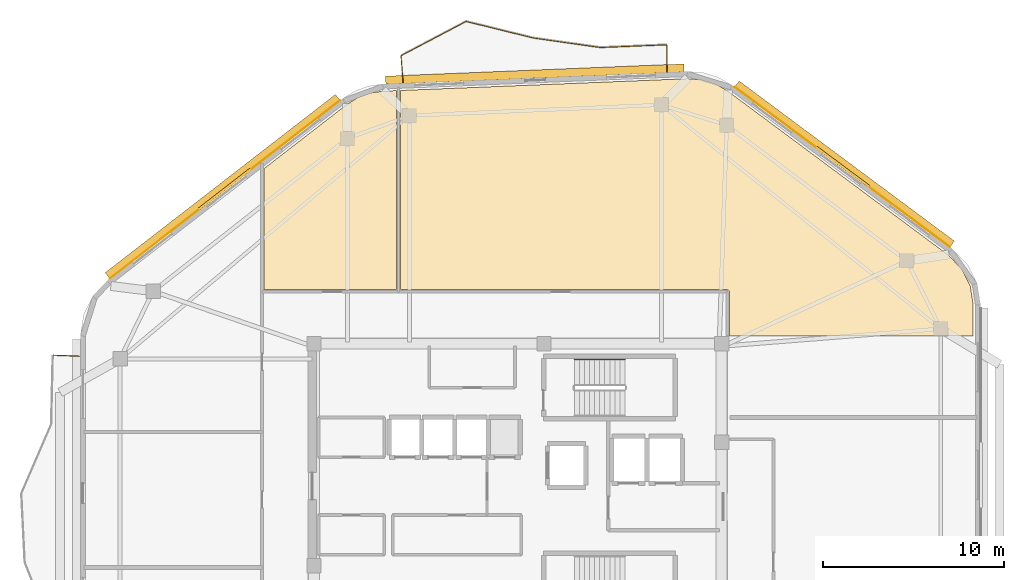
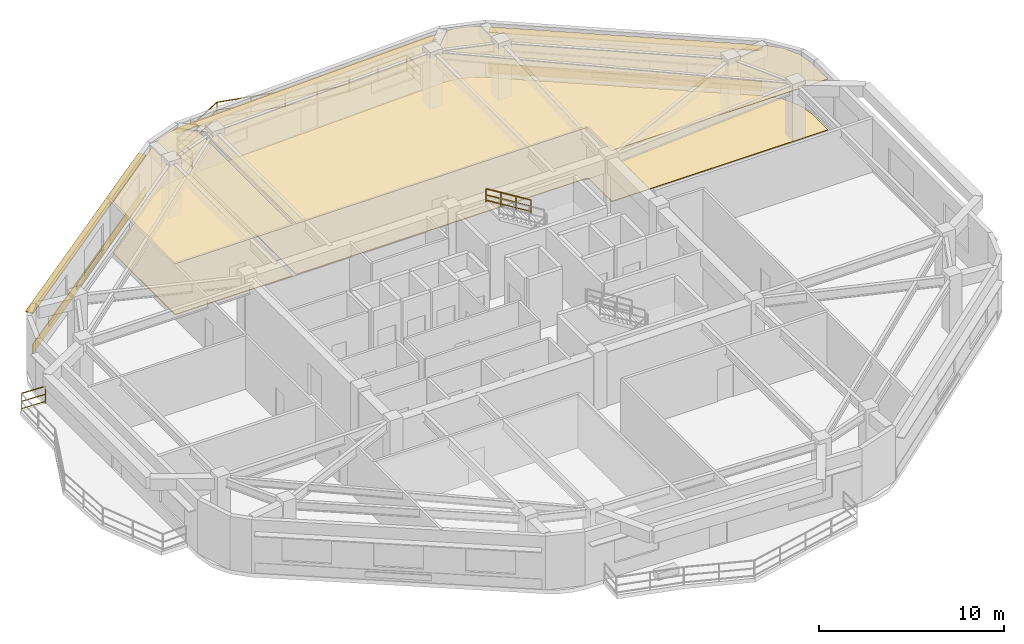
# One storey, part 9 of 10: 8 railings, 6 coverings, 5 shading devices.
"""IFC4 building model written with IfcOpenShell, lengths in metres."""

from ifc_helpers import new_model, si_unit, direction, frame, origin, origin_2d, place, context, subcontext, project, spatial, polyline, rectangle, outline, extrude, material, layer, layer_set, type_object, element, save


model = new_model("IFC4")

# Units and contexts
model_context = context("Model", 3, precision=1e-05, world=origin(), true_north=direction((0.0, 1.0)))
body_context = subcontext(model_context, "Body", "Model", "MODEL_VIEW")
ifc_project = project(units=[si_unit("LENGTHUNIT", "METRE"), si_unit("AREAUNIT", "SQUARE_METRE"), si_unit("VOLUMEUNIT", "CUBIC_METRE"), si_unit("PLANEANGLEUNIT", "RADIAN"), si_unit("MASSUNIT", "GRAM", prefix="KILO")], contexts=[model_context])

# Site, building, storey
site_placement = place(None, origin())
site = spatial("IfcSite", under=ifc_project, at=site_placement, CompositionType="ELEMENT")
building_placement = place(site_placement, origin())
building = spatial("IfcBuilding", under=site, at=building_placement, Name="Zulverin Broadcast Headquarters", CompositionType="ELEMENT")
storey_placement = place(building_placement, frame((0.0, 0.0, 282.0)))
storey = spatial("IfcBuildingStorey", under=building, at=storey_placement, Name="L72", CompositionType="ELEMENT", Elevation=282.0)

# Coverings
ifc_material_1 = material(Name="Perforated pale-metal acoustic baffle ceiling", Category="aluminium")
ifc_layer_1 = layer(ifc_material_1, 0.0400390625, Name="Perforated pale-metal acoustic baffle ceiling", Category="aluminium")
ifc_layer_set_1 = layer_set([ifc_layer_1], Name="Perforated pale-metal acoustic baffle ceiling")
covering_type_1 = type_object("IfcCoveringType", Name="COV-CEIL-ACOU", PredefinedType="CEILING", material=ifc_layer_set_1)
covering_1_placement = place(storey_placement, frame((0.0, 0.0, 3.360107421875)))
element("IfcCovering", 1, at=covering_1_placement, inside=storey, type_object=covering_type_1, Name="L72 Acoustic Baffle Ceiling 01", PredefinedType="CEILING", context=body_context, shape_type="SweptSolid", body=[
    extrude(outline(polyline([(30.280029296875, 36.068115234375), (30.280029296875, 47.083984375), (29.535888671875, 47.052001953125), (28.823974609375, 46.947998046875), (28.16796875, 46.7080078125), (27.555908203125, 46.327880859375), (22.968017578125, 42.77587890625), (22.968017578125, 36.068115234375), (30.280029296875, 36.068115234375)])), origin(), (0.0, 0.0, 1.0), 0.039794921875),
])
covering_2_placement = place(storey_placement, frame((0.0, 0.0, 3.360107421875)))
element("IfcCovering", 2, at=covering_2_placement, inside=storey, type_object=covering_type_1, Name="L72 Acoustic Baffle Ceiling 02", PredefinedType="CEILING", context=body_context, shape_type="SweptSolid", body=[
    extrude(outline(polyline([(48.60791015625, 47.06396484375), (47.927978515625, 47.4599609375), (47.19189453125, 47.68408203125), (46.404052734375, 47.743896484375), (30.52001953125, 47.092041015625), (30.52001953125, 36.072021484375), (48.56005859375, 36.068115234375), (48.575927734375, 36.068115234375), (48.587890625, 36.068115234375), (48.60009765625, 36.06396484375), (48.60791015625, 36.06396484375), (48.6201171875, 36.06005859375), (48.6279296875, 36.055908203125), (48.635986328125, 36.052001953125), (48.64794921875, 36.0439453125), (48.659912109375, 36.035888671875), (48.66796875, 36.028076171875), (48.676025390625, 36.02001953125), (48.68408203125, 36.011962890625), (48.69189453125, 36.0), (48.699951171875, 35.988037109375), (48.7041015625, 35.97998046875), (48.7080078125, 35.971923828125), (48.7119140625, 35.964111328125), (48.716064453125, 35.951904296875), (48.716064453125, 35.944091796875), (48.719970703125, 35.931884765625), (48.719970703125, 35.919921875), (48.719970703125, 33.5), (62.199951171875, 33.5), (62.199951171875, 35.219970703125), (62.031982421875, 36.2880859375), (61.56005859375, 37.22412109375), (60.803955078125, 37.99609375), (51.080078125, 45.22802734375), (48.60791015625, 47.06396484375)])), origin(), (0.0, 0.0, 1.0), 0.039794921875),
])
ifc_material_2 = material(Name="Brushed pale-aluminium rainscreen cladding", Category="aluminium")
ifc_layer_2 = layer(ifc_material_2, 0.0400390625, Name="Brushed pale-aluminium rainscreen cladding", Category="aluminium")
ifc_layer_set_2 = layer_set([ifc_layer_2], Name="Brushed pale-aluminium rainscreen cladding")
covering_type_2 = type_object("IfcCoveringType", Name="COV-CLAD-PALE", PredefinedType="CLADDING", material=ifc_layer_set_2)
covering_3_placement = place(storey_placement, frame((54.955322265625, 42.8564453125, 0.054931640625), z_axis=(0.0, 0.0, 1.0), x_axis=(-0.802486437986, 0.596670358614, 0.0)))
element("IfcCovering", 3, at=covering_3_placement, inside=storey, type_object=covering_type_2, Name="L72 Brushed Pale-Aluminium Spandrel Cladding 4", PredefinedType="CLADDING", context=body_context, shape_type="SweptSolid", body=[
    extrude(rectangle(XDim=14.84765625, YDim=0.0400390625, at=origin_2d()), origin(), (0.0, 0.0, 1.0), 0.64990234375),
])
covering_4_placement = place(storey_placement, frame((20.795654296875, 41.61328125, 0.054931640625), z_axis=(0.0, 0.0, 1.0), x_axis=(-0.790792140634, -0.612084790132, 0.0)))
element("IfcCovering", 4, at=covering_4_placement, inside=storey, type_object=covering_type_2, Name="L72 Brushed Pale-Aluminium Spandrel Cladding 6", PredefinedType="CLADDING", context=body_context, shape_type="SweptSolid", body=[
    extrude(rectangle(XDim=16.109130859375, YDim=0.0400390625, at=origin_2d()), origin(), (0.0, 0.0, 1.0), 0.64990234375),
])
ifc_material_3 = material(Name="Anti-static broadcast raised access flooring", Category="stone")
ifc_layer_3 = layer(ifc_material_3, 0.050048828125, Name="Anti-static broadcast raised access flooring", Category="stone")
ifc_layer_set_3 = layer_set([ifc_layer_3], Name="Anti-static broadcast raised access flooring")
covering_type_3 = type_object("IfcCoveringType", Name="COV-FLR-RAISED", PredefinedType="FLOORING", material=ifc_layer_set_3)
covering_5_placement = place(storey_placement, origin())
element("IfcCovering", 5, at=covering_5_placement, inside=storey, type_object=covering_type_3, Name="L72 Broadcast Raised Access Flooring 01", PredefinedType="FLOORING", context=body_context, shape_type="SweptSolid", body=[
    extrude(outline(polyline([(30.280029296875, 36.068115234375), (30.280029296875, 47.083984375), (29.535888671875, 47.052001953125), (28.823974609375, 46.947998046875), (28.16796875, 46.7080078125), (27.555908203125, 46.327880859375), (22.968017578125, 42.77587890625), (22.968017578125, 36.068115234375), (30.280029296875, 36.068115234375)])), origin(), (0.0, 0.0, 1.0), 0.050048828125),
])
covering_6_placement = place(storey_placement, origin())
element("IfcCovering", 6, at=covering_6_placement, inside=storey, type_object=covering_type_3, Name="L72 Broadcast Raised Access Flooring 02", PredefinedType="FLOORING", context=body_context, shape_type="SweptSolid", body=[
    extrude(outline(polyline([(48.60791015625, 47.06396484375), (47.927978515625, 47.4599609375), (47.19189453125, 47.68408203125), (46.404052734375, 47.743896484375), (30.52001953125, 47.092041015625), (30.52001953125, 36.072021484375), (48.56005859375, 36.068115234375), (48.575927734375, 36.068115234375), (48.587890625, 36.068115234375), (48.60009765625, 36.06396484375), (48.60791015625, 36.06396484375), (48.6201171875, 36.06005859375), (48.6279296875, 36.055908203125), (48.635986328125, 36.052001953125), (48.64794921875, 36.0439453125), (48.659912109375, 36.035888671875), (48.66796875, 36.028076171875), (48.676025390625, 36.02001953125), (48.68408203125, 36.011962890625), (48.69189453125, 36.0), (48.699951171875, 35.988037109375), (48.7041015625, 35.97998046875), (48.7080078125, 35.971923828125), (48.7119140625, 35.964111328125), (48.716064453125, 35.951904296875), (48.716064453125, 35.944091796875), (48.719970703125, 35.931884765625), (48.719970703125, 35.919921875), (48.719970703125, 33.5), (62.199951171875, 33.5), (62.199951171875, 35.219970703125), (62.031982421875, 36.2880859375), (61.56005859375, 37.22412109375), (60.803955078125, 37.99609375), (51.080078125, 45.22802734375), (48.60791015625, 47.06396484375)])), origin(), (0.0, 0.0, 1.0), 0.050048828125),
])

# Railings
ifc_material_4 = material(Name="Brushed stainless steel & laminated glass balustrade", Category="steel")
railing_type_1 = type_object("IfcRailingType", Name="RL-GUARD-1150", PredefinedType="GUARDRAIL", material=ifc_material_4)
railing_1_placement = place(storey_placement, frame((45.247314453125, 48.13720703125, 0.0)))
element("IfcRailing", 7, at=railing_1_placement, inside=storey, type_object=railing_type_1, Name="L72 Vertical-Forest Balcony Guardrail BAL_N Segment 01", PredefinedType="GUARDRAIL", context=body_context, shape_type="SweptSolid", body=[
    extrude(rectangle(XDim=0.048095703125, YDim=0.048095703125, at=origin_2d()), frame((0.0, 0.0, 1.1259765625), z_axis=(-0.000499500437, 0.99999987525, 0.0), x_axis=(-0.99999987525, -0.000499500437, 0.0)), (0.0, 0.0, 1.0), 1.46630859375),
    extrude(rectangle(XDim=0.0419921875, YDim=0.0419921875, at=origin_2d()), frame((0.0, 0.0, 0.597900390625), z_axis=(-0.000499500437, 0.99999987525, 0.0), x_axis=(-0.99999987525, -0.000499500437, 0.0)), (0.0, 0.0, 1.0), 1.46630859375),
    extrude(rectangle(XDim=0.0419921875, YDim=0.0419921875, at=origin_2d()), frame((0.0, 0.0, 0.1201171875), z_axis=(-0.000499500437, 0.99999987525, 0.0), x_axis=(-0.99999987525, -0.000499500437, 0.0)), (0.0, 0.0, 1.0), 1.46630859375),
    extrude(rectangle(XDim=0.0419921875, YDim=0.0419921875, at=origin_2d()), origin(), (0.0, 0.0, 1.0), 1.101806640625),
    extrude(rectangle(XDim=0.0419921875, YDim=0.0419921875, at=origin_2d()), frame((-0.000732421875, 1.46630859375, 0.0)), (0.0, 0.0, 1.0), 1.101806640625),
])
railing_2_placement = place(storey_placement, frame((45.2314453125, 49.617919921875, 0.0)))
element("IfcRailing", 8, at=railing_2_placement, inside=storey, type_object=railing_type_1, Name="L72 Vertical-Forest Balcony Guardrail BAL_N Segment 02", PredefinedType="GUARDRAIL", context=body_context, shape_type="SweptSolid", body=[
    extrude(rectangle(XDim=0.048095703125, YDim=0.048095703125, at=origin_2d()), frame((0.0, 0.0, 1.1259765625), z_axis=(-0.999153810707, -0.041129825541, 0.0), x_axis=(0.041129825541, -0.999153810707, 0.0)), (0.0, 0.0, 1.0), 3.650634765625),
    extrude(rectangle(XDim=0.0419921875, YDim=0.0419921875, at=origin_2d()), frame((0.0, 0.0, 0.597900390625), z_axis=(-0.999153810707, -0.041129825541, 0.0), x_axis=(0.041129825541, -0.999153810707, 0.0)), (0.0, 0.0, 1.0), 3.650634765625),
    extrude(rectangle(XDim=0.0419921875, YDim=0.0419921875, at=origin_2d()), frame((0.0, 0.0, 0.1201171875), z_axis=(-0.999153810707, -0.041129825541, 0.0), x_axis=(0.041129825541, -0.999153810707, 0.0)), (0.0, 0.0, 1.0), 3.650634765625),
    extrude(rectangle(XDim=0.0419921875, YDim=0.0419921875, at=origin_2d()), origin(), (0.0, 0.0, 1.0), 1.101806640625),
    extrude(rectangle(XDim=0.0419921875, YDim=0.0419921875, at=origin_2d()), frame((-1.82373046875, -0.0751953125, 0.0)), (0.0, 0.0, 1.0), 1.101806640625),
    extrude(rectangle(XDim=0.0419921875, YDim=0.0419921875, at=origin_2d()), frame((-3.6474609375, -0.150146484375, 0.0)), (0.0, 0.0, 1.0), 1.101806640625),
])
railing_3_placement = place(storey_placement, frame((41.553955078125, 49.46923828125, 0.0)))
element("IfcRailing", 9, at=railing_3_placement, inside=storey, type_object=railing_type_1, Name="L72 Vertical-Forest Balcony Guardrail BAL_N Segment 03", PredefinedType="GUARDRAIL", context=body_context, shape_type="SweptSolid", body=[
    extrude(rectangle(XDim=0.048095703125, YDim=0.048095703125, at=origin_2d()), frame((0.0, 0.0, 1.1259765625), z_axis=(-0.990067513119, 0.140592743295, 0.0), x_axis=(-0.140592743295, -0.990067513119, 0.0)), (0.0, 0.0, 1.0), 3.712646484375),
    extrude(rectangle(XDim=0.0419921875, YDim=0.0419921875, at=origin_2d()), frame((0.0, 0.0, 0.597900390625), z_axis=(-0.990067513119, 0.140592743295, 0.0), x_axis=(-0.140592743295, -0.990067513119, 0.0)), (0.0, 0.0, 1.0), 3.712646484375),
    extrude(rectangle(XDim=0.0419921875, YDim=0.0419921875, at=origin_2d()), frame((0.0, 0.0, 0.1201171875), z_axis=(-0.990067513119, 0.140592743295, 0.0), x_axis=(-0.140592743295, -0.990067513119, 0.0)), (0.0, 0.0, 1.0), 3.712646484375),
    extrude(rectangle(XDim=0.0419921875, YDim=0.0419921875, at=origin_2d()), origin(), (0.0, 0.0, 1.0), 1.101806640625),
    extrude(rectangle(XDim=0.0419921875, YDim=0.0419921875, at=origin_2d()), frame((-1.837890625, 0.260986328125, 0.0)), (0.0, 0.0, 1.0), 1.101806640625),
    extrude(rectangle(XDim=0.0419921875, YDim=0.0419921875, at=origin_2d()), frame((-3.67578125, 0.52197265625, 0.0)), (0.0, 0.0, 1.0), 1.101806640625),
])
railing_4_placement = place(storey_placement, frame((37.8486328125, 49.9970703125, 0.0)))
element("IfcRailing", 10, at=railing_4_placement, inside=storey, type_object=railing_type_1, Name="L72 Vertical-Forest Balcony Guardrail BAL_N Segment 04", PredefinedType="GUARDRAIL", context=body_context, shape_type="SweptSolid", body=[
    extrude(rectangle(XDim=0.048095703125, YDim=0.048095703125, at=origin_2d()), frame((0.0, 0.0, 1.1259765625), z_axis=(-0.970934129919, 0.239346851573, 0.0), x_axis=(-0.239346851573, -0.970934129919, 0.0)), (0.0, 0.0, 1.0), 3.802734375),
    extrude(rectangle(XDim=0.0419921875, YDim=0.0419921875, at=origin_2d()), frame((0.0, 0.0, 0.597900390625), z_axis=(-0.970934129919, 0.239346851573, 0.0), x_axis=(-0.239346851573, -0.970934129919, 0.0)), (0.0, 0.0, 1.0), 3.802734375),
    extrude(rectangle(XDim=0.0419921875, YDim=0.0419921875, at=origin_2d()), frame((0.0, 0.0, 0.1201171875), z_axis=(-0.970934129919, 0.239346851573, 0.0), x_axis=(-0.239346851573, -0.970934129919, 0.0)), (0.0, 0.0, 1.0), 3.802734375),
    extrude(rectangle(XDim=0.0419921875, YDim=0.0419921875, at=origin_2d()), origin(), (0.0, 0.0, 1.0), 1.101806640625),
    extrude(rectangle(XDim=0.0419921875, YDim=0.0419921875, at=origin_2d()), frame((-1.84619140625, 0.455078125, 0.0)), (0.0, 0.0, 1.0), 1.101806640625),
    extrude(rectangle(XDim=0.0419921875, YDim=0.0419921875, at=origin_2d()), frame((-3.692138671875, 0.91015625, 0.0)), (0.0, 0.0, 1.0), 1.101806640625),
])
railing_5_placement = place(storey_placement, frame((34.12841796875, 50.90380859375, 0.0)))
element("IfcRailing", 11, at=railing_5_placement, inside=storey, type_object=railing_type_1, Name="L72 Vertical-Forest Balcony Guardrail BAL_N Segment 05", PredefinedType="GUARDRAIL", context=body_context, shape_type="SweptSolid", body=[
    extrude(rectangle(XDim=0.048095703125, YDim=0.048095703125, at=origin_2d()), frame((0.0, 0.0, 1.1259765625), z_axis=(-0.885000701985, -0.465589687907, 0.0), x_axis=(0.465589687907, -0.885000701985, 0.0)), (0.0, 0.0, 1.0), 4.04443359375),
    extrude(rectangle(XDim=0.0419921875, YDim=0.0419921875, at=origin_2d()), frame((0.0, 0.0, 0.597900390625), z_axis=(-0.885000701985, -0.465589687907, 0.0), x_axis=(0.465589687907, -0.885000701985, 0.0)), (0.0, 0.0, 1.0), 4.04443359375),
    extrude(rectangle(XDim=0.0419921875, YDim=0.0419921875, at=origin_2d()), frame((0.0, 0.0, 0.1201171875), z_axis=(-0.885000701985, -0.465589687907, 0.0), x_axis=(0.465589687907, -0.885000701985, 0.0)), (0.0, 0.0, 1.0), 4.04443359375),
    extrude(rectangle(XDim=0.0419921875, YDim=0.0419921875, at=origin_2d()), origin(), (0.0, 0.0, 1.0), 1.101806640625),
    extrude(rectangle(XDim=0.0419921875, YDim=0.0419921875, at=origin_2d()), frame((-1.78955078125, -0.94140625, 0.0)), (0.0, 0.0, 1.0), 1.101806640625),
    extrude(rectangle(XDim=0.0419921875, YDim=0.0419921875, at=origin_2d()), frame((-3.579345703125, -1.883056640625, 0.0)), (0.0, 0.0, 1.0), 1.101806640625),
])
railing_6_placement = place(storey_placement, frame((30.537109375, 48.998779296875, 0.0)))
element("IfcRailing", 12, at=railing_6_placement, inside=storey, type_object=railing_type_1, Name="L72 Vertical-Forest Balcony Guardrail BAL_N Segment 06", PredefinedType="GUARDRAIL", context=body_context, shape_type="SweptSolid", body=[
    extrude(rectangle(XDim=0.048095703125, YDim=0.048095703125, at=origin_2d()), frame((0.0, 0.0, 1.1259765625), z_axis=(0.081419392862, -0.9966799298, 0.0), x_axis=(0.9966799298, 0.081419392862, 0.0)), (0.0, 0.0, 1.0), 1.46630859375),
    extrude(rectangle(XDim=0.0419921875, YDim=0.0419921875, at=origin_2d()), frame((0.0, 0.0, 0.597900390625), z_axis=(0.081419392862, -0.9966799298, 0.0), x_axis=(0.9966799298, 0.081419392862, 0.0)), (0.0, 0.0, 1.0), 1.46630859375),
    extrude(rectangle(XDim=0.0419921875, YDim=0.0419921875, at=origin_2d()), frame((0.0, 0.0, 0.1201171875), z_axis=(0.081419392862, -0.9966799298, 0.0), x_axis=(0.9966799298, 0.081419392862, 0.0)), (0.0, 0.0, 1.0), 1.46630859375),
    extrude(rectangle(XDim=0.0419921875, YDim=0.0419921875, at=origin_2d()), origin(), (0.0, 0.0, 1.0), 1.101806640625),
    extrude(rectangle(XDim=0.0419921875, YDim=0.0419921875, at=origin_2d()), frame((0.119384765625, -1.46142578125, 0.0)), (0.0, 0.0, 1.0), 1.101806640625),
])
railing_7_placement = place(storey_placement, frame((12.760009765625, 32.387939453125, 0.0)))
element("IfcRailing", 13, at=railing_7_placement, inside=storey, type_object=railing_type_1, Name="L72 Vertical-Forest Balcony Guardrail BAL_W Segment 01", PredefinedType="GUARDRAIL", context=body_context, shape_type="SweptSolid", body=[
    extrude(rectangle(XDim=0.048095703125, YDim=0.048095703125, at=origin_2d()), frame((0.0, 0.0, 1.1259765625), z_axis=(-0.999174410196, 0.040626321628, 0.0), x_axis=(-0.040626321628, -0.999174410196, 0.0)), (0.0, 0.0, 1.0), 1.46630859375),
    extrude(rectangle(XDim=0.0419921875, YDim=0.0419921875, at=origin_2d()), frame((0.0, 0.0, 0.597900390625), z_axis=(-0.999174410196, 0.040626321628, 0.0), x_axis=(-0.040626321628, -0.999174410196, 0.0)), (0.0, 0.0, 1.0), 1.46630859375),
    extrude(rectangle(XDim=0.0419921875, YDim=0.0419921875, at=origin_2d()), frame((0.0, 0.0, 0.1201171875), z_axis=(-0.999174410196, 0.040626321628, 0.0), x_axis=(-0.040626321628, -0.999174410196, 0.0)), (0.0, 0.0, 1.0), 1.46630859375),
    extrude(rectangle(XDim=0.0419921875, YDim=0.0419921875, at=origin_2d()), origin(), (0.0, 0.0, 1.0), 1.101806640625),
    extrude(rectangle(XDim=0.0419921875, YDim=0.0419921875, at=origin_2d()), frame((-1.465087890625, 0.0595703125, 0.0)), (0.0, 0.0, 1.0), 1.101806640625),
])
ifc_material_5 = material(Name="Brushed stainless steel 48 mm handrail", Category="steel")
railing_type_2 = type_object("IfcRailingType", Name="RL-ST-HAND", PredefinedType="HANDRAIL", material=ifc_material_5)
railing_8_placement = place(storey_placement, frame((42.929931640625, 32.199951171875, 2.07275390625)))
element("IfcRailing", 14, at=railing_8_placement, inside=storey, type_object=railing_type_2, Name="L72 ST-1 stair handrail 2", PredefinedType="HANDRAIL", context=body_context, shape_type="SweptSolid", body=[
    extrude(rectangle(XDim=0.048095703125, YDim=0.048095703125, at=origin_2d()), frame((0.0, 0.0, 0.8759765625), z_axis=(-0.851089632645, 0.0, 0.525020415988), x_axis=(0.0, -1.0, 0.0)), (0.0, 0.0, 1.0), 3.2900390625),
    extrude(rectangle(XDim=0.0419921875, YDim=0.0419921875, at=origin_2d()), frame((0.0, 0.0, 0.468017578125), z_axis=(-0.851089632645, 0.0, 0.525020415988), x_axis=(0.0, -1.0, 0.0)), (0.0, 0.0, 1.0), 3.2900390625),
    extrude(rectangle(XDim=0.0419921875, YDim=0.0419921875, at=origin_2d()), frame((0.0, 0.0, 0.1201171875), z_axis=(-0.851089632645, 0.0, 0.525020415988), x_axis=(0.0, -1.0, 0.0)), (0.0, 0.0, 1.0), 3.2900390625),
    extrude(rectangle(XDim=0.0419921875, YDim=0.0419921875, at=origin_2d()), origin(), (0.0, 0.0, 1.0), 0.851806640625),
    extrude(rectangle(XDim=0.0419921875, YDim=0.0419921875, at=origin_2d()), frame((-0.933349609375, 0.0, 0.57568359375)), (0.0, 0.0, 1.0), 0.851806640625),
    extrude(rectangle(XDim=0.0419921875, YDim=0.0419921875, at=origin_2d()), frame((-1.86669921875, 0.0, 1.151611328125)), (0.0, 0.0, 1.0), 0.851806640625),
    extrude(rectangle(XDim=0.0419921875, YDim=0.0419921875, at=origin_2d()), frame((-2.800048828125, 0.0, 1.727294921875)), (0.0, 0.0, 1.0), 0.851806640625),
])

# Shading devices
ifc_material_6 = material(Name="Anodized pale-metal aluminium acoustic louvre", Category="aluminium")
shading_device_type_1 = type_object("IfcShadingDeviceType", Name="SHD-LOUVRE-350", PredefinedType="USERDEFINED", material=ifc_material_6)
for number, where, z_axis, x_axis, name in (
    (15, (54.973388671875, 42.880615234375, 0.244873046875), (0.0, 0.0, 1.0), (-0.802486437986, 0.596670358614, 0.0), "L72 Spandrel Intake Louvre 4"),
    (16, (20.77734375, 41.63720703125, 0.244873046875), (0.0, 0.0, 1.0), (-0.790792140634, -0.612084790132, 0.0), "L72 Spandrel Intake Louvre 6"),
):
    element("IfcShadingDevice", number, at=place(storey_placement, frame(where, z_axis=z_axis, x_axis=x_axis)), inside=storey, type_object=shading_device_type_1, Name=name, ObjectType="LOUVRE", PredefinedType="USERDEFINED", context=body_context, shape_type="SweptSolid", body=[
        extrude(rectangle(XDim=3.60009765625, YDim=0.1201171875, at=origin_2d()), origin(), (0.0, 0.0, 1.0), 0.35009765625),
    ])
ifc_material_7 = material(Name="Anodized pale-metal aluminium sunshade", Category="aluminium")
ifc_layer_4 = layer(ifc_material_7, 0.06005859375, Name="Anodized pale-metal aluminium sunshade", Category="aluminium")
ifc_layer_set_4 = layer_set([ifc_layer_4], Name="Anodized pale-metal aluminium sunshade")
shading_device_type_2 = type_object("IfcShadingDeviceType", Name="SS-01_PALE_METAL_ALUMINIUM_SUNSHADE", PredefinedType="USERDEFINED", material=ifc_layer_set_4)
shading_device_1_placement = place(storey_placement, frame((55.068603515625, 43.009033203125, 2.7099609375), z_axis=(0.0, 0.0, 1.0), x_axis=(-0.802486437986, 0.596670358614, 0.0)))
element("IfcShadingDevice", 17, at=shading_device_1_placement, inside=storey, type_object=shading_device_type_2, Name="L72 Horizontal Pale-Metal Sunshade Band 4", ObjectType="SUNSHADE", PredefinedType="USERDEFINED", context=body_context, shape_type="SweptSolid", body=[
    extrude(rectangle(XDim=14.84765625, YDim=0.449951171875, at=origin_2d()), origin(), (0.0, 0.0, 1.0), 0.06005859375),
])
shading_device_2_placement = place(storey_placement, frame((37.9453125, 47.9970703125, 2.7099609375), z_axis=(0.0, 0.0, 1.0), x_axis=(-0.999156343069, -0.041068261531, 0.0)))
element("IfcShadingDevice", 18, at=shading_device_2_placement, inside=storey, type_object=shading_device_type_2, Name="L72 Horizontal Pale-Metal Sunshade Band 5", ObjectType="SUNSHADE", PredefinedType="USERDEFINED", context=body_context, shape_type="SweptSolid", body=[
    extrude(rectangle(XDim=16.523193359375, YDim=0.449951171875, at=origin_2d()), origin(), (0.0, 0.0, 1.0), 0.06005859375),
])
shading_device_3_placement = place(storey_placement, frame((20.67919921875, 41.763671875, 2.7099609375), z_axis=(0.0, 0.0, 1.0), x_axis=(-0.790792140634, -0.612084790132, 0.0)))
element("IfcShadingDevice", 19, at=shading_device_3_placement, inside=storey, type_object=shading_device_type_2, Name="L72 Horizontal Pale-Metal Sunshade Band 6", ObjectType="SUNSHADE", PredefinedType="USERDEFINED", context=body_context, shape_type="SweptSolid", body=[
    extrude(rectangle(XDim=16.109130859375, YDim=0.449951171875, at=origin_2d()), origin(), (0.0, 0.0, 1.0), 0.06005859375),
])

save(model, "model.ifc")
